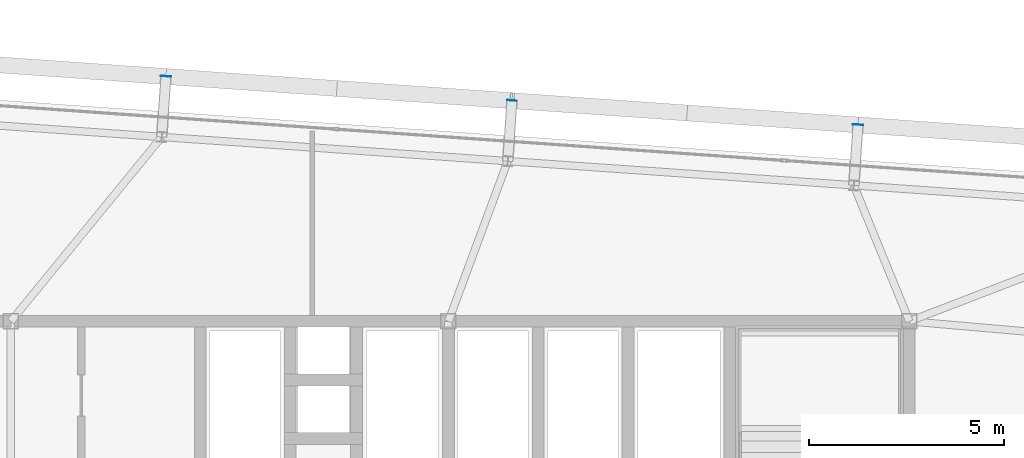
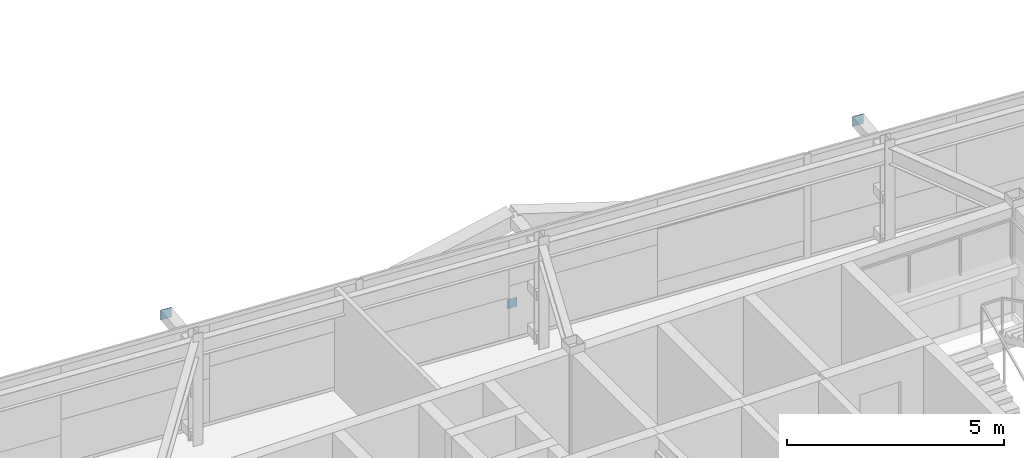
# One storey, part 33 of 39: 3 plates.
"""IFC4 building model written with IfcOpenShell, lengths in metres."""

from ifc_helpers import new_model, si_unit, direction, frame, origin, origin_2d, place, context, subcontext, project, spatial, rectangle, extrude, source, transform, mapped, material, layer, layer_set, type_object, element, save


model = new_model("IFC4")

# Units and contexts
model_context = context("Model", 3, precision=1e-05, world=origin(), true_north=direction((0.0, 1.0)))
body_context = subcontext(model_context, "Body", "Model", "MODEL_VIEW")
ifc_project = project(units=[si_unit("LENGTHUNIT", "METRE"), si_unit("AREAUNIT", "SQUARE_METRE"), si_unit("VOLUMEUNIT", "CUBIC_METRE"), si_unit("PLANEANGLEUNIT", "RADIAN"), si_unit("MASSUNIT", "GRAM", prefix="KILO")], contexts=[model_context])

# Site, building, storey
site_placement = place(None, origin())
site = spatial("IfcSite", under=ifc_project, at=site_placement, CompositionType="ELEMENT")
building_placement = place(site_placement, origin())
building = spatial("IfcBuilding", under=site, at=building_placement, Name="Taldren Reach Tower", CompositionType="ELEMENT")
storey_placement = place(building_placement, frame((0.0, 0.0, 120.39990234375)))
storey = spatial("IfcBuildingStorey", under=building, at=storey_placement, Name="L36", CompositionType="ELEMENT", Elevation=120.39990234375)

# Plates
ifc_material_1 = material(Name="Steel Gr 450 (C450L0)", Category="steel")
ifc_layer_1 = layer(ifc_material_1, 0.011962890625)
ifc_layer_set_1 = layer_set([ifc_layer_1], Name="Steel Gr 450 (C450L0)")
plate_type_1 = type_object("IfcPlateType", Name="PL-CAP-275", PredefinedType="SHEET", material=ifc_layer_set_1)
shared_shape_1 = source(origin(), body_context, "Body", "SweptSolid", [
    extrude(rectangle(XDim=0.27490234375, YDim=0.011962890625, at=origin_2d()), origin(), (0.0, 0.0, 1.0), 0.27490234375),
])
for number, where, z_axis, x_axis, name in (
    (1, (31.969970703125, 38.272216796875, 2.5126953125), (0.0, 0.0, 1.0), (0.99756405026, -0.069756473744, 0.0), "Tie strut end cap plate B3-N3 L36"),
    (2, (49.6865234375, 37.033203125, 2.5126953125), (0.0, 0.0, 1.0), (0.99756405026, -0.069756473744, 0.0), "Tie strut end cap plate B3-N5 L36"),
):
    element("IfcPlate", number, at=place(storey_placement, frame(where, z_axis=z_axis, x_axis=x_axis)), inside=storey, type_object=plate_type_1, Name=name, PredefinedType="SHEET", context=body_context, shape_type="MappedRepresentation", body=[
        mapped(shared_shape_1, transform((0.0, 0.0, 0.0), scale=1.0)),
    ])
ifc_material_2 = material(Name="Steel Gr 350 (C350L0)", Category="steel")
ifc_layer_2 = layer(ifc_material_2, 0.011962890625)
ifc_layer_set_2 = layer_set([ifc_layer_2], Name="Steel Gr 350 (C350L0)")
plate_type_2 = type_object("IfcPlateType", Name="PL-CAP-250", PredefinedType="SHEET", material=ifc_layer_set_2)
shared_shape_2 = source(origin(), body_context, "Body", "SweptSolid", [
    extrude(rectangle(XDim=0.25, YDim=0.011962890625, at=origin_2d()), origin(), (0.0, 0.0, 1.0), 0.25),
])
plate_placement = place(storey_placement, frame((40.828125, 37.652587890625, 0.09521484375), z_axis=(0.0, 0.0, 1.0), x_axis=(0.99756405026, -0.069756473744, 0.0)))
element("IfcPlate", 3, at=plate_placement, inside=storey, type_object=plate_type_2, Name="Tie strut end cap plate B3-N4 L36", PredefinedType="SHEET", context=body_context, shape_type="MappedRepresentation", body=[
    mapped(shared_shape_2, transform((0.0, 0.0, 0.0), scale=1.0)),
])

save(model, "model.ifc")
